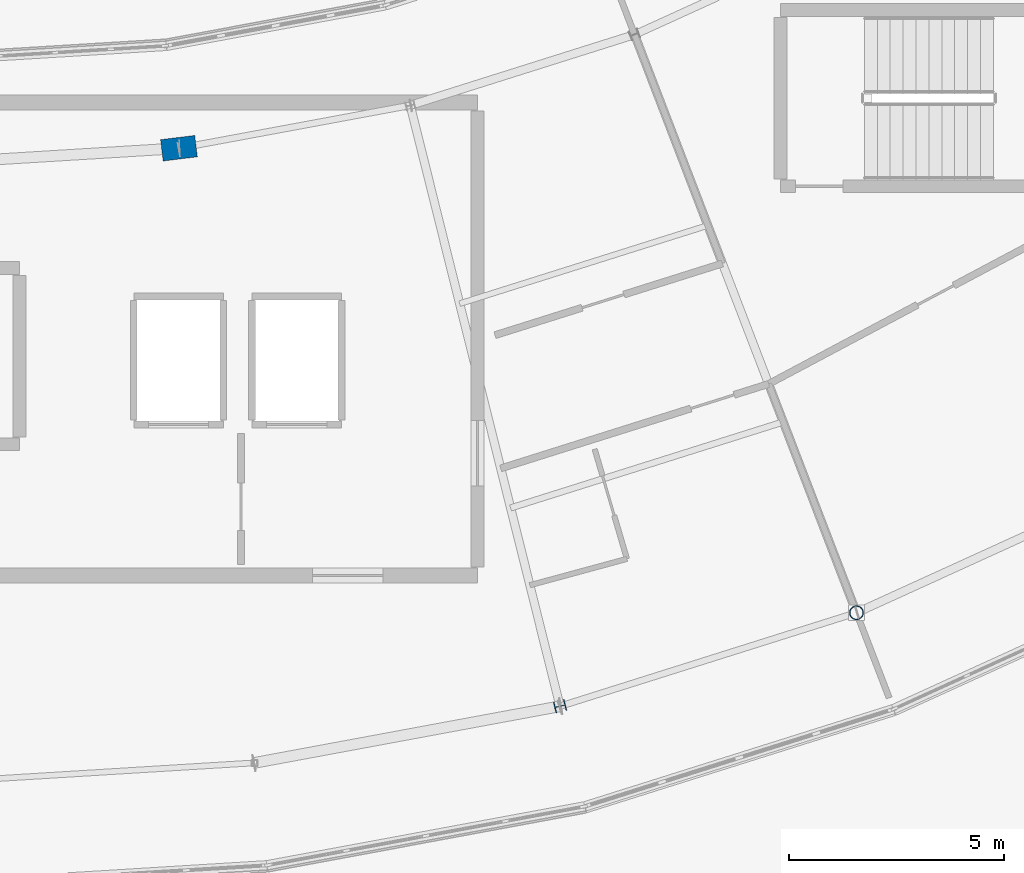
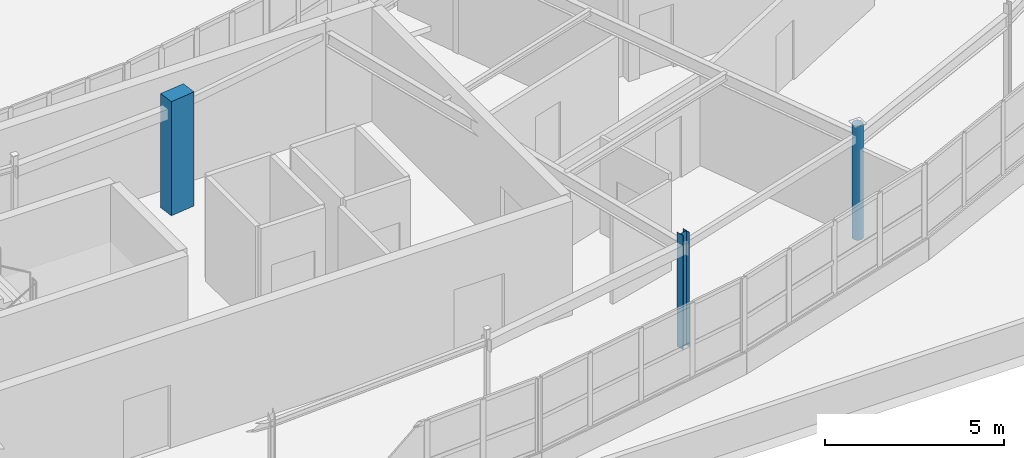
# One storey, part 5 of 128: 3 columns.
"""IFC4 building model written with IfcOpenShell, lengths in metres."""

from ifc_helpers import new_model, si_unit, direction, frame, origin, origin_2d, place, context, subcontext, project, spatial, rectangle, hollow_circle, i_section, extrude, material, material_profile, profile_set, type_object, element, save


model = new_model("IFC4")

# Units and contexts
model_context = context("Model", 3, precision=1e-05, world=origin(), true_north=direction((0.0, 1.0)))
body_context = subcontext(model_context, "Body", "Model", "MODEL_VIEW")
ifc_project = project(units=[si_unit("LENGTHUNIT", "METRE"), si_unit("AREAUNIT", "SQUARE_METRE"), si_unit("VOLUMEUNIT", "CUBIC_METRE"), si_unit("PLANEANGLEUNIT", "RADIAN"), si_unit("MASSUNIT", "GRAM", prefix="KILO")], contexts=[model_context])

# Site, building, storey
site_placement = place(None, origin())
site = spatial("IfcSite", under=ifc_project, at=site_placement, CompositionType="ELEMENT")
building_placement = place(site_placement, origin())
building = spatial("IfcBuilding", under=site, at=building_placement, Name="Tarnwether General Hospital", CompositionType="ELEMENT")
storey_placement = place(building_placement, frame((0.0, 0.0, 14.39990234375)))
storey = spatial("IfcBuildingStorey", under=building, at=storey_placement, Name="L03", CompositionType="ELEMENT", Elevation=14.39990234375)

# Columns
ifc_material_1 = material(Name="Concrete 50 MPa", Category="concrete")
ifc_material_profile_1 = material_profile(ifc_material_1, rectangle(XDim=0.5, YDim=0.800048828125, at=origin_2d()), Name="RC-PIL-500x800")
ifc_profile_set_1 = profile_set([ifc_material_profile_1], Name="Concrete 50 MPa")
column_type_1 = type_object("IfcColumnType", Name="COL-23", PredefinedType="PILASTER", material=ifc_profile_set_1)
column_1_placement = place(storey_placement, frame((97.4599609375, 18.533935546875, 0.0), z_axis=(0.0, 0.0, 1.0), x_axis=(-0.121869343405, 0.992546151641, 0.0)))
element("IfcColumn", 1, at=column_1_placement, inside=storey, type_object=column_type_1, Name="Column COLG-L03-9746_1853", PredefinedType="PILASTER", context=body_context, shape_type="SweptSolid", body=[
    extrude(rectangle(XDim=0.5, YDim=0.800048828125, at=origin_2d()), origin(), (0.0, 0.0, 1.0), 3.900146484375),
])
ifc_material_2 = material(Name="Steel Grade 350 (350 MPa)", Category="steel")
ifc_material_profile_2 = material_profile(ifc_material_2, i_section(OverallWidth=0.25390625, OverallDepth=0.25390625, WebThickness=0.008544921875, FlangeThickness=0.01416015625, at=origin_2d()), Name="250UC72.9")
ifc_profile_set_2 = profile_set([ifc_material_profile_2], Name="Steel Grade 350 (350 MPa)")
column_type_2 = type_object("IfcColumnType", Name="COL-24", PredefinedType="COLUMN", material=ifc_profile_set_2)
column_2_placement = place(storey_placement, frame((106.322021484375, 5.55810546875, 0.0), z_axis=(0.0, 0.0, 1.0), x_axis=(-0.2419218956, 0.970295726276, 0.0)))
element("IfcColumn", 2, at=column_2_placement, inside=storey, type_object=column_type_2, Name="Column COLG-L03-10632_556", PredefinedType="COLUMN", context=body_context, shape_type="SweptSolid", body=[
    extrude(i_section(OverallWidth=0.25390625, OverallDepth=0.25390625, WebThickness=0.008544921875, FlangeThickness=0.01416015625, at=origin_2d()), origin(), (0.0, 0.0, 1.0), 3.900146484375),
])
ifc_material_3 = material(Name="Steel Grade C350L0 (350 MPa)", Category="steel")
ifc_material_profile_3 = material_profile(ifc_material_3, hollow_circle(Radius=0.161865234375, WallThickness=0.0126953125, at=origin_2d()), Name="CHS323.9x12.7")
ifc_profile_set_3 = profile_set([ifc_material_profile_3], Name="Steel Grade C350L0 (350 MPa)")
column_type_3 = type_object("IfcColumnType", Name="COL-26", PredefinedType="COLUMN", material=ifc_profile_set_3)
column_3_placement = place(storey_placement, frame((113.215087890625, 7.73193359375, 0.0), z_axis=(0.0, 0.0, 1.0), x_axis=(-0.358367949545, 0.933580426497, 0.0)))
element("IfcColumn", 3, at=column_3_placement, inside=storey, type_object=column_type_3, Name="Column COLG-L03-11322_773", PredefinedType="COLUMN", context=body_context, shape_type="SweptSolid", body=[
    extrude(hollow_circle(Radius=0.161865234375, WallThickness=0.0126953125, at=origin_2d()), origin(), (0.0, 0.0, 1.0), 3.900146484375),
])

save(model, "model.ifc")
